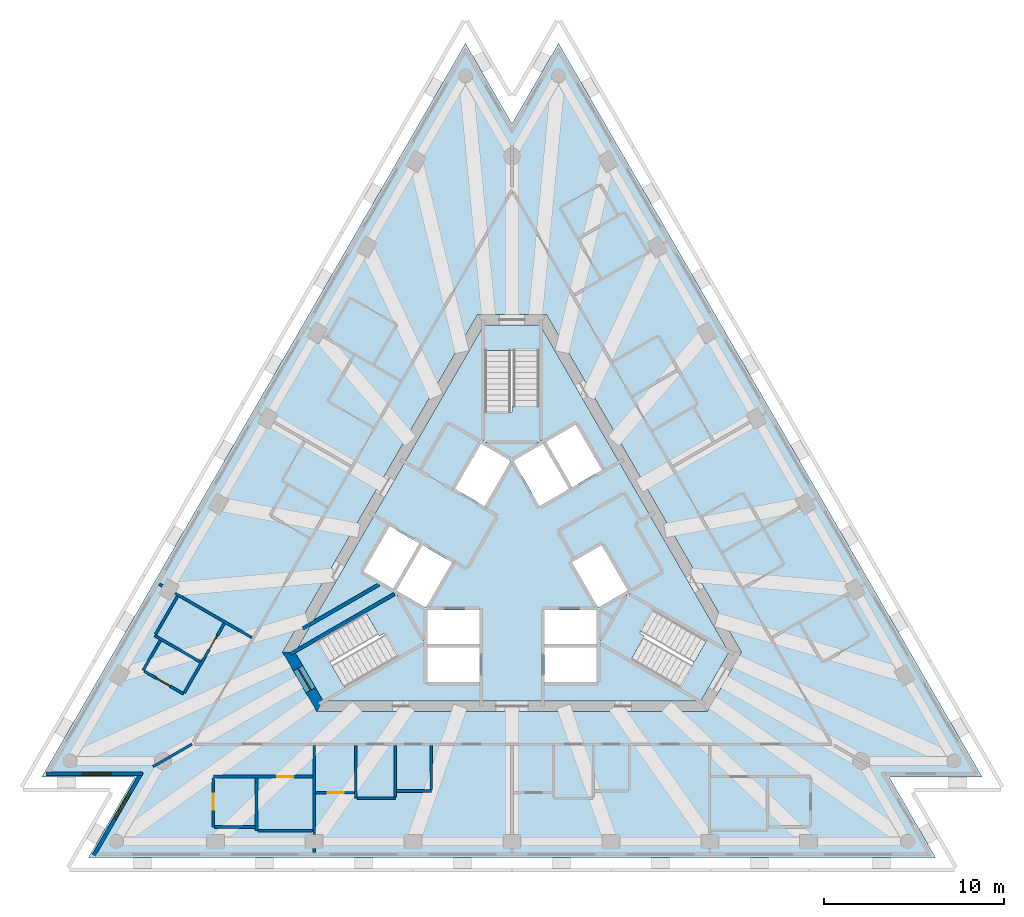
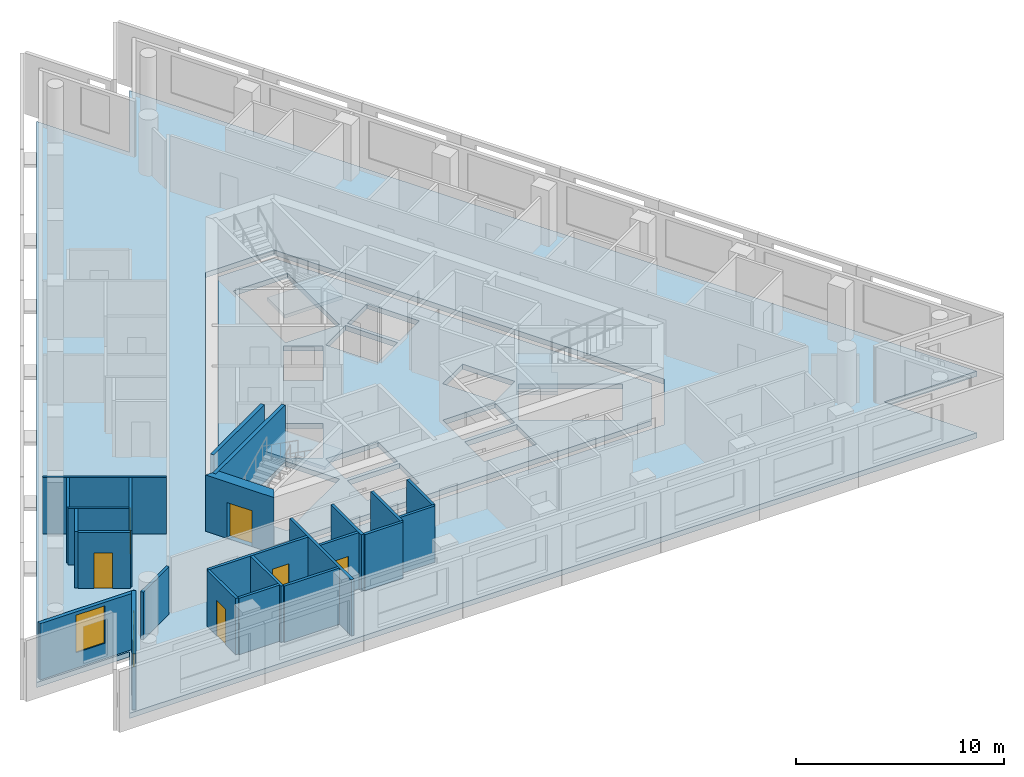
# One storey, part 2 of 9: 24 walls, 6 doors, 5 slabs, 2 windows, 8 openings, 3 elements without a shape of their own.
"""IFC4 building model written with IfcOpenShell, lengths in metres."""

import ifcopenshell
import ifcopenshell.guid

model = None  # the IFC model being written
_history = None  # IfcOwnerHistory: only IFC2X3 demands one
_inside = {}  # id of a spatial element -> (the spatial element, [elements in it])
_under = {}  # id of a project, library or spatial element -> (it, [spatial elements below it])
_declared = {}  # id of a project -> (the project, [libraries it declares])
_typed = {}  # id of a type object -> (the type object, [elements of that type])
_made_of = {}  # id of a material, layer set ... -> (it, [elements and type objects made of it])


def new_model(schema):
    """Start an empty IFC model of exactly this schema.

    Asked for "IFC4X3", IfcOpenShell would pick the latest addendum, in which some entities
    have other attributes; the version numbers below select the first issue.
    IFC2X3 requires an IfcOwnerHistory on every rooted entity: one is made here for all.
    """
    global model, _history
    if schema == "IFC4X3":
        model = ifcopenshell.file(schema_version=(4, 3, 0, 0))
    else:
        model = ifcopenshell.file(schema=schema)
    _inside.clear()
    _under.clear()
    _declared.clear()
    _typed.clear()
    _made_of.clear()
    _history = None
    if model.schema == "IFC2X3":
        org = make("IfcOrganization", Name="unknown")
        user = make(
            "IfcPersonAndOrganization",
            ThePerson=make("IfcPerson", FamilyName="unknown"),
            TheOrganization=org,
        )
        app = make(
            "IfcApplication",
            ApplicationDeveloper=org,
            Version="unknown",
            ApplicationFullName="unknown",
            ApplicationIdentifier="unknown",
        )
        _history = make(
            "IfcOwnerHistory",
            OwningUser=user,
            OwningApplication=app,
            ChangeAction="ADDED",
            CreationDate=0,
        )
    return model


def make(cls, **values):
    """One entity of the class cls with the attributes given. An attribute that is None is left unset."""
    return model.create_entity(
        cls, **{name: value for name, value in values.items() if value is not None}
    )


def rooted(cls, **values):
    """An entity with a GlobalId (a new one), such as an element, a storey or a relation."""
    return make(cls, GlobalId=ifcopenshell.guid.new(), OwnerHistory=_history, **values)


def si_unit(unit_type, name, prefix=None):
    """IfcSIUnit, for example si_unit("LENGTHUNIT", "METRE", prefix="MILLI")."""
    return make("IfcSIUnit", UnitType=unit_type, Prefix=prefix, Name=name)


def assignment(units):
    """IfcUnitAssignment: the units of a project."""
    return None if units is None else make("IfcUnitAssignment", Units=units)


def point(xyz):
    """IfcCartesianPoint."""
    return None if xyz is None else make("IfcCartesianPoint", Coordinates=xyz)


def direction(xyz):
    """IfcDirection."""
    return None if xyz is None else make("IfcDirection", DirectionRatios=xyz)


def frame(location, z_axis=None, x_axis=None):
    """IfcAxis2Placement3D, a coordinate frame: its origin and axes. An axis left out is left unset."""
    return make(
        "IfcAxis2Placement3D",
        Location=point(location),
        Axis=direction(z_axis),
        RefDirection=direction(x_axis),
    )


def frame_2d(location, x_axis=None):
    """IfcAxis2Placement2D, a coordinate frame in the plane: its origin and x axis."""
    return make(
        "IfcAxis2Placement2D", Location=point(location), RefDirection=direction(x_axis)
    )


def origin():
    """The frame at (0, 0, 0) with its axes left unset."""
    return frame((0.0, 0.0, 0.0))


def place(relative_to, where):
    """IfcLocalPlacement: puts the frame where relative to a parent placement (None: the world)."""
    return make(
        "IfcLocalPlacement", PlacementRelTo=relative_to, RelativePlacement=where
    )


def context(
    kind, dimensions, precision=None, world=None, true_north=None, identifier=None
):
    """IfcGeometricRepresentationContext, for example the 3D "Model" context."""
    return make(
        "IfcGeometricRepresentationContext",
        ContextIdentifier=identifier,
        ContextType=kind,
        CoordinateSpaceDimension=dimensions,
        Precision=precision,
        WorldCoordinateSystem=world,
        TrueNorth=true_north,
    )


def subcontext(parent, identifier, kind, view, scale=None):
    """IfcGeometricRepresentationSubContext, for example "Body" below "Model"."""
    return make(
        "IfcGeometricRepresentationSubContext",
        ContextIdentifier=identifier,
        ContextType=kind,
        ParentContext=parent,
        TargetScale=scale,
        TargetView=view,
    )


def project(units=None, contexts=None):
    """IfcProject with its units and contexts."""
    return rooted(
        "IfcProject",
        Name="project",
        RepresentationContexts=contexts,
        UnitsInContext=assignment(units),
    )


def spatial(cls, under=None, at=None, **own):
    """A site, building, storey or space (cls), placed at a placement, below another one or the project."""
    s = rooted(cls, ObjectPlacement=at, **own)
    if under is not None:
        _under.setdefault(under.id(), (under, []))[1].append(s)
    return s


def polyline(points):
    """IfcPolyline through the points."""
    return make("IfcPolyline", Points=[point(p) for p in points])


def profile(cls, at=None, kind="AREA", **sizes):
    """A parametric profile (cls). Its sizes go by their IFC names, for example OverallWidth=200.0."""
    return make(cls, ProfileType=kind, Position=at, **sizes)


def rectangle(**sizes):
    """IfcRectangleProfileDef."""
    return profile("IfcRectangleProfileDef", **sizes)


def outline(outer, holes=None, kind="AREA"):
    """IfcArbitraryClosedProfileDef: a profile drawn as a closed curve; with holes, ...WithVoids."""
    if holes is None:
        return make("IfcArbitraryClosedProfileDef", ProfileType=kind, OuterCurve=outer)
    return make(
        "IfcArbitraryProfileDefWithVoids",
        ProfileType=kind,
        OuterCurve=outer,
        InnerCurves=holes,
    )


def extrude(swept, where, along, depth):
    """IfcExtrudedAreaSolid: the profile swept, set in the frame where, extruded along a direction by depth."""
    return make(
        "IfcExtrudedAreaSolid",
        SweptArea=swept,
        Position=where,
        ExtrudedDirection=direction(along),
        Depth=depth,
    )


def shape(context_of_items, identifier, shape_type, items):
    """IfcShapeRepresentation: the items that make up one representation, for example the "Body"."""
    return make(
        "IfcShapeRepresentation",
        ContextOfItems=context_of_items,
        RepresentationIdentifier=identifier,
        RepresentationType=shape_type,
        Items=items,
    )


def material(Name=None, Category=None):
    """IfcMaterial."""
    return make("IfcMaterial", Name=Name, Category=Category)


def layer(
    of_material, thickness, ventilated=None, Name=None, Category=None, Priority=None
):
    """IfcMaterialLayer: one layer of a wall or slab, of a material (None: an air gap)."""
    return make(
        "IfcMaterialLayer",
        Material=of_material,
        LayerThickness=thickness,
        IsVentilated=ventilated,
        Name=Name,
        Category=Category,
        Priority=Priority,
    )


def layer_set(layers, Name=None):
    """IfcMaterialLayerSet."""
    return make("IfcMaterialLayerSet", MaterialLayers=layers, LayerSetName=Name)


def layer_usage(for_layer_set, set_direction, sense, offset, extent=None):
    """IfcMaterialLayerSetUsage: how a layer set lies in its element."""
    return make(
        "IfcMaterialLayerSetUsage",
        ForLayerSet=for_layer_set,
        LayerSetDirection=set_direction,
        DirectionSense=sense,
        OffsetFromReferenceLine=offset,
        ReferenceExtent=extent,
    )


def made_of(thing, what):
    """Note that an element or type object is made of a material, layer set ...; save() writes the relation."""
    if what is not None:
        _made_of.setdefault(what.id(), (what, []))[1].append(thing)
    return thing


def type_object(cls, material=None, **own):
    """A type object (cls), such as IfcWallType, which elements share."""
    return made_of(rooted(cls, **own), material)


def element(
    cls,
    number,
    at=None,
    inside=None,
    cuts=None,
    type_object=None,
    material=None,
    context=None,
    identifier="Body",
    shape_type=None,
    held_by="IfcProductDefinitionShape",
    body=None,
    shapes=None,
    **own,
):
    """One element of the class cls, such as IfcWall. Its Tag is "e" and its number.

    at: its placement. inside: the storey or other place that contains it. cuts: it is an
    opening in that element (IfcRelVoidsElement). A single representation is given by context,
    identifier, shape_type and body (its items); several are given by shapes. held_by: the class
    of the entity that holds the representations. save() writes the other relations.
    """
    e = rooted(cls, Tag="e%d" % number, ObjectPlacement=at, **own)
    if body is not None:
        shapes = [shape(context, identifier, shape_type, body)]
    if shapes is not None:
        e.Representation = make(held_by, Representations=shapes)
    if inside is not None:
        _inside.setdefault(inside.id(), (inside, []))[1].append(e)
    if cuts is not None:
        rooted(
            "IfcRelVoidsElement", RelatingBuildingElement=cuts, RelatedOpeningElement=e
        )
    if type_object is not None:
        _typed.setdefault(type_object.id(), (type_object, []))[1].append(e)
    return made_of(e, material)


def fill(opening, filler):
    """IfcRelFillsElement: the door or window that sits in an opening."""
    return rooted(
        "IfcRelFillsElement",
        RelatingOpeningElement=opening,
        RelatedBuildingElement=filler,
    )


def aggregate(whole, parts):
    """IfcRelAggregates: a whole, such as a stair, and the parts it consists of."""
    return rooted("IfcRelAggregates", RelatingObject=whole, RelatedObjects=parts)


def save(model, path):
    """Write the relations noted so far, then the file.

    IfcRelAggregates (storeys below a building ...), IfcRelContainedInSpatialStructure (elements
    in a storey), IfcRelDefinesByType, IfcRelAssociatesMaterial and IfcRelDeclares: one each for
    every whole, place, type object, material and project.
    """
    for whole, parts in _under.values():
        aggregate(whole, parts)
    for where, things in _inside.values():
        rooted(
            "IfcRelContainedInSpatialStructure",
            RelatedElements=things,
            RelatingStructure=where,
        )
    for kind, things in _typed.values():
        rooted("IfcRelDefinesByType", RelatedObjects=things, RelatingType=kind)
    for what, things in _made_of.values():
        rooted("IfcRelAssociatesMaterial", RelatedObjects=things, RelatingMaterial=what)
    for by, libraries in _declared.values():
        rooted("IfcRelDeclares", RelatingContext=by, RelatedDefinitions=libraries)
    model.write(path)


model = new_model("IFC4")

# Units and contexts
model_context = context("Model", 3, precision=1e-05, world=origin(), true_north=direction((0.0, 1.0)))
body_context = subcontext(model_context, "Body", "Model", "MODEL_VIEW")
ifc_project = project(units=[si_unit("LENGTHUNIT", "METRE"), si_unit("AREAUNIT", "SQUARE_METRE"), si_unit("VOLUMEUNIT", "CUBIC_METRE"), si_unit("PLANEANGLEUNIT", "RADIAN"), si_unit("MASSUNIT", "GRAM", prefix="KILO")], contexts=[model_context])

# Site, building, storey
site_placement = place(None, origin())
site = spatial("IfcSite", under=ifc_project, at=site_placement, CompositionType="ELEMENT")
building_placement = place(site_placement, origin())
building = spatial("IfcBuilding", under=site, at=building_placement, Name="Triada Interchange Tower", CompositionType="ELEMENT")
storey_placement = place(building_placement, frame((0.0, 0.0, 279.10009765625)))
storey = spatial("IfcBuildingStorey", under=building, at=storey_placement, Name="L65", CompositionType="ELEMENT", Elevation=279.10009765625)

# Slabs
ifc_material_1 = material(Name="Concrete C50/60", Category="concrete")
ifc_layer_1 = layer(ifc_material_1, 0.300048828125)
ifc_layer_set_1 = layer_set([ifc_layer_1], Name="Floor slab 300")
slab_type_1 = type_object("IfcSlabType", Name="Floor slab 300", PredefinedType="FLOOR", material=ifc_layer_set_1)
slab_1_placement = place(storey_placement, frame((0.0, 0.0, -0.300048828125)))
element("IfcSlab", 1, at=slab_1_placement, inside=storey, type_object=slab_type_1, Name="Floor slab L65", PredefinedType="FLOOR", context=body_context, shape_type="SweptSolid", body=[
    extrude(outline(polyline([(-2.5810546875, 28.637939453125), (-26.092041015625, -12.083984375), (-20.930908203125, -12.083984375), (-23.510986328125, -16.553955078125), (23.510986328125, -16.553955078125), (20.930908203125, -12.083984375), (26.092041015625, -12.083984375), (2.5810546875, 28.637939453125), (0.0, 24.1689453125), (-2.5810546875, 28.637939453125)]), holes=[polyline([(1.905029296875, 13.60009765625), (-1.905029296875, 13.60009765625), (-12.73095703125, -5.14990234375), (-10.824951171875, -8.449951171875), (10.824951171875, -8.449951171875), (12.73095703125, -5.14990234375), (1.905029296875, 13.60009765625)])]), origin(), (0.0, 0.0, 1.0), 0.300048828125),
])
slab_2_placement = place(storey_placement, frame((0.0, 0.0, -0.300048828125)))
element("IfcSlab", 2, at=slab_2_placement, inside=storey, type_object=slab_type_1, Name="Core floor slab L65 1", PredefinedType="FLOOR", context=body_context, shape_type="SweptSolid", body=[
    extrude(outline(polyline([(12.0380859375, -5.14990234375), (10.47900390625, -7.85009765625), (-10.47900390625, -7.85009765625), (-12.0380859375, -5.14990234375), (-1.55908203125, 13.0), (1.55908203125, 13.0), (12.0380859375, -5.14990234375)]), holes=[polyline([(9.2958984375, -7.09912109375), (10.7958984375, -4.5009765625), (6.466064453125, -2.0009765625), (4.966064453125, -4.59912109375), (9.2958984375, -7.09912109375)]), polyline([(4.969970703125, 0.791015625), (3.324951171875, -0.158935546875), (4.77490234375, -2.669921875), (6.419921875, -1.719970703125), (4.969970703125, 0.791015625)]), polyline([(1.89404296875, 6.52001953125), (3.343994140625, 4.009033203125), (4.989013671875, 4.958984375), (3.5390625, 7.469970703125), (1.89404296875, 6.52001953125)]), polyline([(1.800048828125, -4.89990234375), (1.800048828125, -6.4990234375), (1.800048828125, -6.800048828125), (4.699951171875, -6.800048828125), (4.699951171875, -4.89990234375), (1.800048828125, -4.89990234375)]), polyline([(4.699951171875, -2.800048828125), (1.800048828125, -2.800048828125), (1.800048828125, -4.699951171875), (4.699951171875, -4.699951171875), (4.699951171875, -2.800048828125)]), polyline([(1.52490234375, 2.958984375), (2.594970703125, 3.576904296875), (3.169921875, 3.908935546875), (1.719970703125, 6.419921875), (0.074951171875, 5.469970703125), (1.52490234375, 2.958984375)]), polyline([(-1.5, 11.60009765625), (-1.5, 6.60009765625), (1.5, 6.60009765625), (1.5, 11.60009765625), (-1.5, 11.60009765625)]), polyline([(-1.52490234375, 2.958984375), (-0.074951171875, 5.469970703125), (-1.719970703125, 6.419921875), (-3.169921875, 3.908935546875), (-1.52490234375, 2.958984375)]), polyline([(-1.800048828125, -2.800048828125), (-4.699951171875, -2.800048828125), (-4.699951171875, -4.699951171875), (-1.800048828125, -4.699951171875), (-1.800048828125, -2.800048828125)]), polyline([(-4.699951171875, -6.800048828125), (-1.800048828125, -6.800048828125), (-1.800048828125, -6.4990234375), (-1.800048828125, -4.89990234375), (-4.699951171875, -4.89990234375), (-4.699951171875, -6.800048828125)]), polyline([(-3.427978515625, -0.09912109375), (-4.969970703125, 0.791015625), (-6.419921875, -1.719970703125), (-4.77490234375, -2.669921875), (-3.324951171875, -0.158935546875), (-3.427978515625, -0.09912109375)]), polyline([(-10.7958984375, -4.5009765625), (-9.2958984375, -7.09912109375), (-4.966064453125, -4.59912109375), (-6.466064453125, -2.0009765625), (-10.7958984375, -4.5009765625)]), polyline([(-6.593994140625, -1.6201171875), (-5.14404296875, 0.89111328125), (-6.7890625, 1.841064453125), (-8.239013671875, -0.669921875), (-6.593994140625, -1.6201171875)])]), origin(), (0.0, 0.0, 1.0), 0.300048828125),
])

# Stair, slab
ifc_material_2 = material(Name="Concrete C35/45", Category="concrete")
stair_type = type_object("IfcStairType", Name="HALF TURN STAIR 1400", PredefinedType="HALF_TURN_STAIR", material=ifc_material_2)
stair_1_placement = place(storey_placement, origin())
stair_1 = element("IfcStair", 3, at=stair_1_placement, inside=storey, type_object=stair_type, Name="Exit stair S65-1", PredefinedType="HALF_TURN_STAIR")
ifc_layer_2 = layer(ifc_material_2, 0.199951171875)
ifc_layer_set_2 = layer_set([ifc_layer_2], Name="STAIR LANDING 200")
slab_type_2 = type_object("IfcSlabType", Name="STAIR LANDING 200", PredefinedType="LANDING", material=ifc_layer_set_2)
slab_3_placement = place(storey_placement, frame((0.0, 0.0, 1.521484375)))
slab_3 = element("IfcSlab", 4, at=slab_3_placement, type_object=slab_type_2, Name="S65-1 landing 1", PredefinedType="LANDING", context=body_context, shape_type="SweptSolid", body=[
    extrude(outline(polyline([(1.60009765625, 6.5), (1.60009765625, 8.5), (0.0, 8.5), (0.0, 8.18994140625), (-1.60009765625, 8.18994140625), (-1.60009765625, 6.5), (1.60009765625, 6.5)])), origin(), (0.0, 0.0, 1.0), 0.2001953125),
])
aggregate(stair_1, [slab_3])

stair_2_placement = place(storey_placement, origin())
stair_2 = element("IfcStair", 5, at=stair_2_placement, inside=storey, type_object=stair_type, Name="Exit stair S65-2", PredefinedType="HALF_TURN_STAIR")
slab_4_placement = place(storey_placement, frame((0.0, 0.0, 1.521484375)))
slab_4 = element("IfcSlab", 6, at=slab_4_placement, type_object=slab_type_2, Name="S65-2 landing 1", PredefinedType="LANDING", context=body_context, shape_type="SweptSolid", body=[
    extrude(outline(polyline([(-6.428955078125, -1.864013671875), (-8.160888671875, -2.864013671875), (-7.361083984375, -4.25), (-7.093017578125, -4.094970703125), (-6.29296875, -5.48095703125), (-4.8291015625, -4.635986328125), (-6.428955078125, -1.864013671875)])), origin(), (0.0, 0.0, 1.0), 0.2001953125),
])
aggregate(stair_2, [slab_4])

stair_3_placement = place(storey_placement, origin())
stair_3 = element("IfcStair", 7, at=stair_3_placement, inside=storey, type_object=stair_type, Name="Exit stair S65-3", PredefinedType="HALF_TURN_STAIR")
slab_5_placement = place(storey_placement, frame((0.0, 0.0, 1.521484375)))
slab_5 = element("IfcSlab", 8, at=slab_5_placement, type_object=slab_type_2, Name="S65-3 landing 1", PredefinedType="LANDING", context=body_context, shape_type="SweptSolid", body=[
    extrude(outline(polyline([(4.8291015625, -4.635986328125), (6.56103515625, -5.635986328125), (7.361083984375, -4.25), (7.093017578125, -4.094970703125), (7.89306640625, -2.708984375), (6.428955078125, -1.864013671875), (4.8291015625, -4.635986328125)])), origin(), (0.0, 0.0, 1.0), 0.2001953125),
])
aggregate(stair_3, [slab_5])

# Walls
ifc_material_3 = material(Name="Concrete C30/37", Category="concrete")
ifc_layer_3 = layer(ifc_material_3, 0.199951171875)
ifc_layer_set_3 = layer_set([ifc_layer_3], Name="CORE WALL 200 EI 90")
wall_type_1 = type_object("IfcWallType", Name="CORE WALL 200 EI 90", PredefinedType="SOLIDWALL", material=ifc_layer_set_3)
wall_1_placement = place(storey_placement, frame((-11.597900390625, -3.8291015625, 0.0), z_axis=(0.0, 0.0, 1.0), x_axis=(0.865968383994, 0.500098748171, 0.0)))
element("IfcWall", 9, at=wall_1_placement, inside=storey, type_object=wall_type_1, Name="Wall L65 110", PredefinedType="SOLIDWALL", context=body_context, shape_type="SweptSolid", body=[
    extrude(rectangle(XDim=4.8671875, YDim=0.199951171875, at=frame_2d((2.43359375, 0.0))), origin(), (0.0, 0.0, 1.0), 3.2998046875),
])
ifc_layer_4 = layer(ifc_material_3, 0.199951171875)
ifc_layer_set_4 = layer_set([ifc_layer_4], Name="CORE WALL 200 REI 240")
wall_type_2 = type_object("IfcWallType", Name="CORE WALL 200 REI 240", PredefinedType="SOLIDWALL", material=ifc_layer_set_4)
wall_2_placement = place(storey_placement, frame((-12.301025390625, -5.25390625, 0.0), z_axis=(0.0, 0.0, 1.0), x_axis=(0.866068467981, 0.499925403204, 0.0)))
element("IfcWall", 10, at=wall_2_placement, inside=storey, type_object=wall_type_2, Name="Wall L65 115", PredefinedType="SOLIDWALL", context=body_context, shape_type="SweptSolid", body=[
    extrude(rectangle(XDim=6.66455078125, YDim=0.199951171875, at=frame_2d((3.332275390625, 0.0))), origin(), (0.0, 0.0, 1.0), 3.2998046875),
])

# Wall, opening, door
ifc_material_4 = material(Name="Concrete C40/50", Category="concrete")
ifc_layer_5 = layer(ifc_material_4, 0.60009765625)
ifc_layer_set_5 = layer_set([ifc_layer_5], Name="Core wall D 600")
wall_type_3 = type_object("IfcWallType", Name="Core wall D 600", PredefinedType="SHEAR", material=ifc_layer_set_5)
wall_3_placement = place(storey_placement, frame((-12.384033203125, -5.14990234375, -0.300048828125), z_axis=(0.0, 0.0, 1.0), x_axis=(0.49997462182, -0.866040055388, 0.0)))
wall_3 = element("IfcWall", 11, at=wall_3_placement, inside=storey, type_object=wall_type_3, Name="Core wall WD03 L65", PredefinedType="SHEAR", context=body_context, shape_type="SweptSolid", body=[
    extrude(outline(polyline([(-0.173095703125, -0.301025390625), (1.73193359375, -0.300537109375), (3.636962890625, -0.300048828125), (3.291015625, 0.300048828125), (1.73193359375, 0.300048828125), (0.173095703125, 0.300048828125), (-0.173095703125, -0.301025390625)])), origin(), (0.0, 0.0, 1.0), 3.599853515625),
])
opening_1_placement = place(wall_3_placement, frame((1.031982421875, 0.0, 0.300048828125)))
opening_1 = element("IfcOpeningElement", 12, at=opening_1_placement, cuts=wall_3, Name="Opening D65-50", PredefinedType="OPENING", context=body_context, shape_type="SweptSolid", body=[
    extrude(rectangle(XDim=1.39990234375, YDim=2.10009765625, at=frame_2d((0.699951171875, 1.050048828125))), frame((0.0, 0.31005859375, 0.0), z_axis=(0.0, -1.0, 0.0), x_axis=(1.0, 0.0, 0.0)), (0.0, 0.0, 1.0), 0.62109375),
])
ifc_material_5 = material(Name="Steel S235 door leaf", Category="steel")
door_type_1 = type_object("IfcDoorType", Name="STAIR DOOR 1400 EI2 90-C5S200", OperationType="DOUBLE_DOOR_SINGLE_SWING", PredefinedType="DOOR", material=ifc_material_5)
door_1_placement = place(opening_1_placement, origin())
door_1 = element("IfcDoor", 13, at=door_1_placement, inside=storey, type_object=door_type_1, Name="Door D65-50 L65", OperationType="DOUBLE_DOOR_SINGLE_SWING", OverallHeight=2.10009765625, OverallWidth=1.39990234375, PredefinedType="DOOR", context=body_context, shape_type="SweptSolid", body=[
    extrude(rectangle(XDim=1.39990234375, YDim=2.10009765625, at=frame_2d((0.699951171875, 1.050048828125))), frame((0.0, 0.02490234375, 0.0), z_axis=(0.0, -1.0, 0.0), x_axis=(1.0, 0.0, 0.0)), (0.0, 0.0, 1.0), 0.050048828125),
])
fill(opening_1, door_1)

# Wall, opening, window
ifc_material_6 = material(Name="Cement board")
ifc_layer_6 = layer(ifc_material_6, 0.02001953125, Name="Cement board cladding")
ifc_material_7 = material(Name="Sheathing board")
ifc_layer_7 = layer(ifc_material_7, 0.014892578125, Name="Sheathing board")
ifc_material_8 = material(Name="Mineral wool")
ifc_layer_8 = layer(ifc_material_8, 0.14990234375, Name="Mineral wool between steel studs")
ifc_material_9 = material(Name="Gypsum board")
ifc_layer_9 = layer(ifc_material_9, 0.014892578125, Name="Plasterboard lining")
ifc_layer_set_6 = layer_set([ifc_layer_6, ifc_layer_7, ifc_layer_8, ifc_layer_9], Name="External wall 200")
ifc_layer_usage = layer_usage(ifc_layer_set_6, "AXIS2", "POSITIVE", -0.10009765625)
wall_type_4 = type_object("IfcWallType", Name="External wall 200", PredefinedType="ELEMENTEDWALL", material=ifc_layer_set_6)
wall_4_placement = place(storey_placement, frame((-25.8359375, -11.884033203125, 0.0), z_axis=(0.0, 0.0, 1.0), x_axis=(1.0, 0.0, 0.0)))
wall_4 = element("IfcWall", 14, at=wall_4_placement, inside=storey, type_object=wall_type_4, material=ifc_layer_usage, Name="External wall L65 SW-1", PredefinedType="ELEMENTEDWALL", context=body_context, shape_type="SweptSolid", body=[
    extrude(rectangle(XDim=5.321044921875, YDim=0.199951171875, at=frame_2d((2.66064453125, 0.0))), origin(), (0.0, 0.0, 1.0), 3.2998046875),
])
opening_2_placement = place(wall_4_placement, frame((1.989990234375, 0.0, 0.89990234375)))
opening_2 = element("IfcOpeningElement", 15, at=opening_2_placement, cuts=wall_4, Name="Opening WD09", PredefinedType="OPENING", context=body_context, shape_type="SweptSolid", body=[
    extrude(rectangle(XDim=1.60009765625, YDim=2.199951171875, at=frame_2d((0.800048828125, 1.10009765625))), frame((0.0, 0.10986328125, 0.0), z_axis=(0.0, -1.0, 0.0), x_axis=(1.0, 0.0, 0.0)), (0.0, 0.0, 1.0), 0.219970703125),
])
ifc_material_10 = material(Name="Double glazed aluminium window", Category="aluminium")
window_type = type_object("IfcWindowType", Name="Ribbon window D pocket", PartitioningType="SINGLE_PANEL", PredefinedType="WINDOW", material=ifc_material_10)
window_1_placement = place(opening_2_placement, origin())
window_1 = element("IfcWindow", 16, at=window_1_placement, inside=storey, type_object=window_type, Name="Window L65 SW-1 1", OverallHeight=2.199951171875, OverallWidth=1.60009765625, PartitioningType="SINGLE_PANEL", PredefinedType="WINDOW", context=body_context, shape_type="SweptSolid", body=[
    extrude(rectangle(XDim=1.60009765625, YDim=2.199951171875, at=frame_2d((0.800048828125, 1.10009765625))), frame((0.0, 0.030029296875, 0.0), z_axis=(0.0, -1.0, 0.0), x_axis=(1.0, 0.0, 0.0)), (0.0, 0.0, 1.0), 0.06005859375),
])
fill(opening_2, window_1)

wall_5_placement = place(storey_placement, frame((-20.5400390625, -11.805908203125, 0.0), z_axis=(0.0, 0.0, 1.0), x_axis=(-0.499834978903, -0.866120657798, 0.0)))
wall_5 = element("IfcWall", 17, at=wall_5_placement, inside=storey, type_object=wall_type_4, material=ifc_layer_usage, Name="External wall L65 SW-2", PredefinedType="ELEMENTEDWALL", context=body_context, shape_type="SweptSolid", body=[
    extrude(rectangle(XDim=5.321533203125, YDim=0.199951171875, at=frame_2d((2.66064453125, 0.0))), origin(), (0.0, 0.0, 1.0), 3.2998046875),
])
opening_3_placement = place(wall_5_placement, frame((1.389892578125, 0.0, 0.89990234375)))
opening_3 = element("IfcOpeningElement", 18, at=opening_3_placement, cuts=wall_5, Name="Opening WD10", PredefinedType="OPENING", context=body_context, shape_type="SweptSolid", body=[
    extrude(rectangle(XDim=1.60009765625, YDim=2.199951171875, at=frame_2d((0.800048828125, 1.10009765625))), frame((0.0, 0.10986328125, 0.0), z_axis=(0.0, -1.0, 0.0), x_axis=(1.0, 0.0, 0.0)), (0.0, 0.0, 1.0), 0.219970703125),
])
window_2_placement = place(opening_3_placement, origin())
window_2 = element("IfcWindow", 19, at=window_2_placement, inside=storey, type_object=window_type, Name="Window L65 SW-2 1", OverallHeight=2.199951171875, OverallWidth=1.60009765625, PartitioningType="SINGLE_PANEL", PredefinedType="WINDOW", context=body_context, shape_type="SweptSolid", body=[
    extrude(rectangle(XDim=1.60009765625, YDim=2.199951171875, at=frame_2d((0.800048828125, 1.10009765625))), frame((0.0, 0.030029296875, 0.0), z_axis=(0.0, -1.0, 0.0), x_axis=(1.0, 0.0, 0.0)), (0.0, 0.0, 1.0), 0.06005859375),
])
fill(opening_3, window_2)

# Walls
ifc_material_11 = material(Name="Gypsum board partition")
ifc_layer_10 = layer(ifc_material_11, 0.14990234375)
ifc_layer_set_7 = layer_set([ifc_layer_10], Name="PARTITION 150 EI 180")
wall_type_5 = type_object("IfcWallType", Name="PARTITION 150 EI 180", PredefinedType="PARTITIONING", material=ifc_layer_set_7)
wall_6_placement = place(storey_placement, frame((-19.908935546875, -11.493896484375, 0.0), z_axis=(0.0, 0.0, 1.0), x_axis=(0.86600757835, 0.500030873288, 0.0)))
element("IfcWall", 20, at=wall_6_placement, inside=storey, type_object=wall_type_5, Name="Wall L65 1", PredefinedType="PARTITIONING", context=body_context, shape_type="SweptSolid", body=[
    extrude(rectangle(XDim=2.489501953125, YDim=0.14990234375, at=frame_2d((1.24462890625, 0.0))), origin(), (0.0, 0.0, 1.0), 2.7998046875),
])
wall_7_placement = place(storey_placement, frame((-19.58203125, -1.367919921875, 0.0), z_axis=(0.0, 0.0, 1.0), x_axis=(0.865986712877, -0.50006700863, 0.0)))
element("IfcWall", 21, at=wall_7_placement, inside=storey, type_object=wall_type_5, Name="Wall L65 3", PredefinedType="PARTITIONING", context=body_context, shape_type="SweptSolid", body=[
    extrude(rectangle(XDim=5.949462890625, YDim=0.14990234375, at=frame_2d((2.974609375, 0.0))), origin(), (0.0, 0.0, 1.0), 3.2998046875),
])
wall_8_placement = place(storey_placement, frame((-10.97607421875, -16.27392578125, 0.0), z_axis=(0.0, 0.0, 1.0), x_axis=(0.0, 1.0, 0.0)))
element("IfcWall", 22, at=wall_8_placement, inside=storey, type_object=wall_type_5, Name="Wall L65 9", PredefinedType="PARTITIONING", context=body_context, shape_type="SweptSolid", body=[
    extrude(rectangle(XDim=5.948974609375, YDim=0.14990234375, at=frame_2d((2.974609375, 0.0))), origin(), (0.0, 0.0, 1.0), 3.2998046875),
])
wall_9_placement = place(storey_placement, frame((-8.676025390625, -13.25, 0.0), z_axis=(0.0, 0.0, 1.0), x_axis=(0.0, 1.0, 0.0)))
element("IfcWall", 23, at=wall_9_placement, inside=storey, type_object=wall_type_5, Name="Wall L65 10", PredefinedType="PARTITIONING", context=body_context, shape_type="SweptSolid", body=[
    extrude(rectangle(XDim=2.925048828125, YDim=0.14990234375, at=frame_2d((1.46240234375, 0.0))), origin(), (0.0, 0.0, 1.0), 3.2998046875),
])
wall_10_placement = place(storey_placement, frame((-8.60107421875, -13.25, 0.0), z_axis=(0.0, 0.0, 1.0), x_axis=(1.0, 0.0, 0.0)))
element("IfcWall", 24, at=wall_10_placement, inside=storey, type_object=wall_type_5, Name="Wall L65 11", PredefinedType="PARTITIONING", context=body_context, shape_type="SweptSolid", body=[
    extrude(rectangle(XDim=2.125, YDim=0.14990234375, at=frame_2d((1.0625, 0.0))), origin(), (0.0, 0.0, 1.0), 3.2998046875),
])
wall_11_placement = place(storey_placement, frame((-6.47607421875, -13.175048828125, 0.0), z_axis=(0.0, 0.0, 1.0), x_axis=(0.0, 1.0, 0.0)))
element("IfcWall", 25, at=wall_11_placement, inside=storey, type_object=wall_type_5, Name="Wall L65 13", PredefinedType="PARTITIONING", context=body_context, shape_type="SweptSolid", body=[
    extrude(rectangle(XDim=2.85009765625, YDim=0.14990234375, at=frame_2d((1.425048828125, 0.0))), origin(), (0.0, 0.0, 1.0), 3.2998046875),
])
wall_12_placement = place(storey_placement, frame((-6.40087890625, -12.85009765625, 0.0), z_axis=(0.0, 0.0, 1.0), x_axis=(1.0, 0.0, 0.0)))
element("IfcWall", 26, at=wall_12_placement, inside=storey, type_object=wall_type_5, Name="Wall L65 14", PredefinedType="PARTITIONING", context=body_context, shape_type="SweptSolid", body=[
    extrude(rectangle(XDim=1.9248046875, YDim=0.14990234375, at=frame_2d((0.96240234375, 0.0))), origin(), (0.0, 0.0, 1.0), 3.2998046875),
])
wall_13_placement = place(storey_placement, frame((-4.47607421875, -12.77490234375, 0.0), z_axis=(0.0, 0.0, 1.0), x_axis=(0.0, 1.0, 0.0)))
element("IfcWall", 27, at=wall_13_placement, inside=storey, type_object=wall_type_5, Name="Wall L65 16", PredefinedType="PARTITIONING", context=body_context, shape_type="SweptSolid", body=[
    extrude(rectangle(XDim=2.449951171875, YDim=0.14990234375, at=frame_2d((1.22509765625, 0.0))), origin(), (0.0, 0.0, 1.0), 3.2998046875),
])
ifc_layer_11 = layer(ifc_material_11, 0.14990234375)
ifc_layer_set_8 = layer_set([ifc_layer_11], Name="PARTITION 150 EI 90")
wall_type_6 = type_object("IfcWallType", Name="PARTITION 150 EI 90", PredefinedType="PARTITIONING", material=ifc_layer_set_8)
wall_14_placement = place(storey_placement, frame((-19.822021484375, -4.23193359375, 0.0), z_axis=(0.0, 0.0, 1.0), x_axis=(0.866145293007, -0.499792288257, 0.0)))
element("IfcWall", 28, at=wall_14_placement, inside=storey, type_object=wall_type_6, Name="Wall L65 31", PredefinedType="PARTITIONING", context=body_context, shape_type="SweptSolid", body=[
    extrude(rectangle(XDim=2.925537109375, YDim=0.14990234375, at=frame_2d((1.462890625, 0.0))), origin(), (0.0, 0.0, 1.0), 3.2998046875),
])
wall_15_placement = place(storey_placement, frame((-20.47509765625, -6.1640625, 0.0), z_axis=(0.0, 0.0, 1.0), x_axis=(0.499890818081, 0.866088430819, 0.0)))
element("IfcWall", 29, at=wall_15_placement, inside=storey, type_object=wall_type_6, Name="Wall L65 32", PredefinedType="PARTITIONING", context=body_context, shape_type="SweptSolid", body=[
    extrude(rectangle(XDim=1.9248046875, YDim=0.14990234375, at=frame_2d((0.96240234375, 0.0))), origin(), (0.0, 0.0, 1.0), 3.2998046875),
])

# Wall, opening, door
wall_16_placement = place(storey_placement, frame((-20.409912109375, -6.200927734375, 0.0), z_axis=(0.0, 0.0, 1.0), x_axis=(0.86593764446, -0.500151972811, 0.0)))
wall_16 = element("IfcWall", 30, at=wall_16_placement, inside=storey, type_object=wall_type_6, Name="Wall L65 33", PredefinedType="PARTITIONING", context=body_context, shape_type="SweptSolid", body=[
    extrude(rectangle(XDim=2.525634765625, YDim=0.14990234375, at=frame_2d((1.2626953125, 0.0))), origin(), (0.0, 0.0, 1.0), 3.2998046875),
])
opening_4_placement = place(wall_16_placement, frame((0.77490234375, 0.0, 0.0)))
opening_4 = element("IfcOpeningElement", 31, at=opening_4_placement, cuts=wall_16, Name="Opening D65-47", PredefinedType="OPENING", context=body_context, shape_type="SweptSolid", body=[
    extrude(rectangle(XDim=0.89990234375, YDim=2.10009765625, at=frame_2d((0.449951171875, 1.050048828125))), frame((0.0, 0.0849609375, 0.0), z_axis=(0.0, -1.0, 0.0), x_axis=(1.0, 0.0, 0.0)), (0.0, 0.0, 1.0), 0.169921875),
])
door_type_2 = type_object("IfcDoorType", Name="SERVICE DOOR 900 EI2 45-C5S200", OperationType="NOTDEFINED", PredefinedType="DOOR", material=ifc_material_5)
door_2_placement = place(opening_4_placement, origin())
door_2 = element("IfcDoor", 32, at=door_2_placement, inside=storey, type_object=door_type_2, Name="Door D65-47 L65", OperationType="SINGLE_SWING_LEFT", OverallHeight=2.10009765625, OverallWidth=0.89990234375, PredefinedType="DOOR", context=body_context, shape_type="SweptSolid", body=[
    extrude(rectangle(XDim=0.89990234375, YDim=2.10009765625, at=frame_2d((0.449951171875, 1.050048828125))), frame((0.0, 0.02490234375, 0.0), z_axis=(0.0, -1.0, 0.0), x_axis=(1.0, 0.0, 0.0)), (0.0, 0.0, 1.0), 0.050048828125),
])
fill(opening_4, door_2)

wall_17_placement = place(storey_placement, frame((-18.18603515625, -7.39892578125, 0.0), z_axis=(0.0, 0.0, 1.0), x_axis=(0.49999788721, 0.866026623601, 0.0)))
wall_17 = element("IfcWall", 33, at=wall_17_placement, inside=storey, type_object=wall_type_6, Name="Wall L65 34", PredefinedType="PARTITIONING", context=body_context, shape_type="SweptSolid", body=[
    extrude(rectangle(XDim=4.4501953125, YDim=0.14990234375, at=frame_2d((2.22509765625, 0.0))), origin(), (0.0, 0.0, 1.0), 3.2998046875),
])
opening_5_placement = place(wall_17_placement, frame((2.77490234375, 0.0, 0.0)))
opening_5 = element("IfcOpeningElement", 34, at=opening_5_placement, cuts=wall_17, Name="Opening D65-46", PredefinedType="OPENING", context=body_context, shape_type="SweptSolid", body=[
    extrude(rectangle(XDim=0.89990234375, YDim=2.10009765625, at=frame_2d((0.449951171875, 1.050048828125))), frame((0.0, 0.0849609375, 0.0), z_axis=(0.0, -1.0, 0.0), x_axis=(1.0, 0.0, 0.0)), (0.0, 0.0, 1.0), 0.169921875),
])
door_type_3 = type_object("IfcDoorType", Name="ROOM DOOR 900 EI2 45-C5S200", OperationType="NOTDEFINED", PredefinedType="DOOR", material=ifc_material_5)
door_3_placement = place(opening_5_placement, origin())
door_3 = element("IfcDoor", 35, at=door_3_placement, inside=storey, type_object=door_type_3, Name="Door D65-46 L65", OperationType="SINGLE_SWING_RIGHT", OverallHeight=2.10009765625, OverallWidth=0.89990234375, PredefinedType="DOOR", context=body_context, shape_type="SweptSolid", body=[
    extrude(rectangle(XDim=0.89990234375, YDim=2.10009765625, at=frame_2d((0.449951171875, 1.050048828125))), frame((0.0, 0.02490234375, 0.0), z_axis=(0.0, -1.0, 0.0), x_axis=(1.0, 0.0, 0.0)), (0.0, 0.0, 1.0), 0.050048828125),
])
fill(opening_5, door_3)

# Walls
wall_18_placement = place(storey_placement, frame((-19.783935546875, -4.1669921875, 0.0), z_axis=(0.0, 0.0, 1.0), x_axis=(0.499900713578, 0.866082719239, 0.0)))
element("IfcWall", 36, at=wall_18_placement, inside=storey, type_object=wall_type_6, Name="Wall L65 36", PredefinedType="PARTITIONING", context=body_context, shape_type="SweptSolid", body=[
    extrude(rectangle(XDim=2.4501953125, YDim=0.14990234375, at=frame_2d((1.22509765625, 0.0))), origin(), (0.0, 0.0, 1.0), 3.2998046875),
])
wall_19_placement = place(storey_placement, frame((-14.176025390625, -15.050048828125, 0.0), z_axis=(0.0, 0.0, 1.0), x_axis=(0.0, 1.0, 0.0)))
element("IfcWall", 37, at=wall_19_placement, inside=storey, type_object=wall_type_6, Name="Wall L65 38", PredefinedType="PARTITIONING", context=body_context, shape_type="SweptSolid", body=[
    extrude(rectangle(XDim=2.925048828125, YDim=0.14990234375, at=frame_2d((1.46240234375, 0.0))), origin(), (0.0, 0.0, 1.0), 3.2998046875),
])

# Wall, opening, door
wall_20_placement = place(storey_placement, frame((-16.575927734375, -12.050048828125, 0.0), z_axis=(0.0, 0.0, 1.0), x_axis=(1.0, 0.0, 0.0)))
wall_20 = element("IfcWall", 38, at=wall_20_placement, inside=storey, type_object=wall_type_6, Name="Wall L65 39", PredefinedType="PARTITIONING", context=body_context, shape_type="SweptSolid", body=[
    extrude(rectangle(XDim=5.52490234375, YDim=0.14990234375, at=frame_2d((2.762451171875, 0.0))), origin(), (0.0, 0.0, 1.0), 3.2998046875),
])
opening_6_placement = place(wall_20_placement, frame((3.550048828125, 0.0, 0.0)))
opening_6 = element("IfcOpeningElement", 39, at=opening_6_placement, cuts=wall_20, Name="Opening D65-12", PredefinedType="OPENING", context=body_context, shape_type="SweptSolid", body=[
    extrude(rectangle(XDim=0.89990234375, YDim=2.10009765625, at=frame_2d((0.449951171875, 1.050048828125))), frame((0.0, 0.0849609375, 0.0), z_axis=(0.0, -1.0, 0.0), x_axis=(1.0, 0.0, 0.0)), (0.0, 0.0, 1.0), 0.169921875),
])
door_4_placement = place(opening_6_placement, origin())
door_4 = element("IfcDoor", 40, at=door_4_placement, inside=storey, type_object=door_type_3, Name="Door D65-12 L65", OperationType="SINGLE_SWING_LEFT", OverallHeight=2.10009765625, OverallWidth=0.89990234375, PredefinedType="DOOR", context=body_context, shape_type="SweptSolid", body=[
    extrude(rectangle(XDim=0.89990234375, YDim=2.10009765625, at=frame_2d((0.449951171875, 1.050048828125))), frame((0.0, 0.02490234375, 0.0), z_axis=(0.0, -1.0, 0.0), x_axis=(1.0, 0.0, 0.0)), (0.0, 0.0, 1.0), 0.050048828125),
])
fill(opening_6, door_4)

wall_21_placement = place(storey_placement, frame((-16.575927734375, -14.85009765625, 0.0), z_axis=(0.0, 0.0, 1.0), x_axis=(0.0, 1.0, 0.0)))
wall_21 = element("IfcWall", 41, at=wall_21_placement, inside=storey, type_object=wall_type_6, Name="Wall L65 41", PredefinedType="PARTITIONING", context=body_context, shape_type="SweptSolid", body=[
    extrude(rectangle(XDim=2.72509765625, YDim=0.14990234375, at=frame_2d((1.362548828125, 0.0))), origin(), (0.0, 0.0, 1.0), 3.2998046875),
])
opening_7_placement = place(wall_21_placement, frame((0.949951171875, 0.0, 0.0)))
opening_7 = element("IfcOpeningElement", 42, at=opening_7_placement, cuts=wall_21, Name="Opening D65-13", PredefinedType="OPENING", context=body_context, shape_type="SweptSolid", body=[
    extrude(rectangle(XDim=0.89990234375, YDim=2.10009765625, at=frame_2d((0.449951171875, 1.050048828125))), frame((0.0, 0.0849609375, 0.0), z_axis=(0.0, -1.0, 0.0), x_axis=(1.0, 0.0, 0.0)), (0.0, 0.0, 1.0), 0.169921875),
])
door_5_placement = place(opening_7_placement, origin())
door_5 = element("IfcDoor", 43, at=door_5_placement, inside=storey, type_object=door_type_2, Name="Door D65-13 L65", OperationType="SINGLE_SWING_RIGHT", OverallHeight=2.10009765625, OverallWidth=0.89990234375, PredefinedType="DOOR", context=body_context, shape_type="SweptSolid", body=[
    extrude(rectangle(XDim=0.89990234375, YDim=2.10009765625, at=frame_2d((0.449951171875, 1.050048828125))), frame((0.0, 0.02490234375, 0.0), z_axis=(0.0, -1.0, 0.0), x_axis=(1.0, 0.0, 0.0)), (0.0, 0.0, 1.0), 0.050048828125),
])
fill(opening_7, door_5)

# Walls
wall_22_placement = place(storey_placement, frame((-16.5009765625, -14.85009765625, 0.0), z_axis=(0.0, 0.0, 1.0), x_axis=(1.0, 0.0, 0.0)))
element("IfcWall", 44, at=wall_22_placement, inside=storey, type_object=wall_type_6, Name="Wall L65 42", PredefinedType="PARTITIONING", context=body_context, shape_type="SweptSolid", body=[
    extrude(rectangle(XDim=2.25, YDim=0.14990234375, at=frame_2d((1.125, 0.0))), origin(), (0.0, 0.0, 1.0), 3.2998046875),
])
wall_23_placement = place(storey_placement, frame((-14.10107421875, -15.050048828125, 0.0), z_axis=(0.0, 0.0, 1.0), x_axis=(1.0, 0.0, 0.0)))
element("IfcWall", 45, at=wall_23_placement, inside=storey, type_object=wall_type_6, Name="Wall L65 44", PredefinedType="PARTITIONING", context=body_context, shape_type="SweptSolid", body=[
    extrude(rectangle(XDim=3.050048828125, YDim=0.14990234375, at=frame_2d((1.52490234375, 0.0))), origin(), (0.0, 0.0, 1.0), 3.2998046875),
])

# Wall, opening, door
wall_24_placement = place(storey_placement, frame((-10.90087890625, -12.949951171875, 0.0), z_axis=(0.0, 0.0, 1.0), x_axis=(1.0, 0.0, 0.0)))
wall_24 = element("IfcWall", 46, at=wall_24_placement, inside=storey, type_object=wall_type_6, Name="Wall L65 51", PredefinedType="PARTITIONING", context=body_context, shape_type="SweptSolid", body=[
    extrude(rectangle(XDim=2.14990234375, YDim=0.14990234375, at=frame_2d((1.074951171875, 0.0))), origin(), (0.0, 0.0, 1.0), 3.2998046875),
])
opening_8_placement = place(wall_24_placement, frame((0.675048828125, 0.0, 0.0)))
opening_8 = element("IfcOpeningElement", 47, at=opening_8_placement, cuts=wall_24, Name="Opening D65-15", PredefinedType="OPENING", context=body_context, shape_type="SweptSolid", body=[
    extrude(rectangle(XDim=0.89990234375, YDim=2.10009765625, at=frame_2d((0.449951171875, 1.050048828125))), frame((0.0, 0.0849609375, 0.0), z_axis=(0.0, -1.0, 0.0), x_axis=(1.0, 0.0, 0.0)), (0.0, 0.0, 1.0), 0.169921875),
])
door_6_placement = place(opening_8_placement, origin())
door_6 = element("IfcDoor", 48, at=door_6_placement, inside=storey, type_object=door_type_3, Name="Door D65-15 L65", OperationType="SINGLE_SWING_LEFT", OverallHeight=2.10009765625, OverallWidth=0.89990234375, PredefinedType="DOOR", context=body_context, shape_type="SweptSolid", body=[
    extrude(rectangle(XDim=0.89990234375, YDim=2.10009765625, at=frame_2d((0.449951171875, 1.050048828125))), frame((0.0, 0.02490234375, 0.0), z_axis=(0.0, -1.0, 0.0), x_axis=(1.0, 0.0, 0.0)), (0.0, 0.0, 1.0), 0.050048828125),
])
fill(opening_8, door_6)

save(model, "model.ifc")
